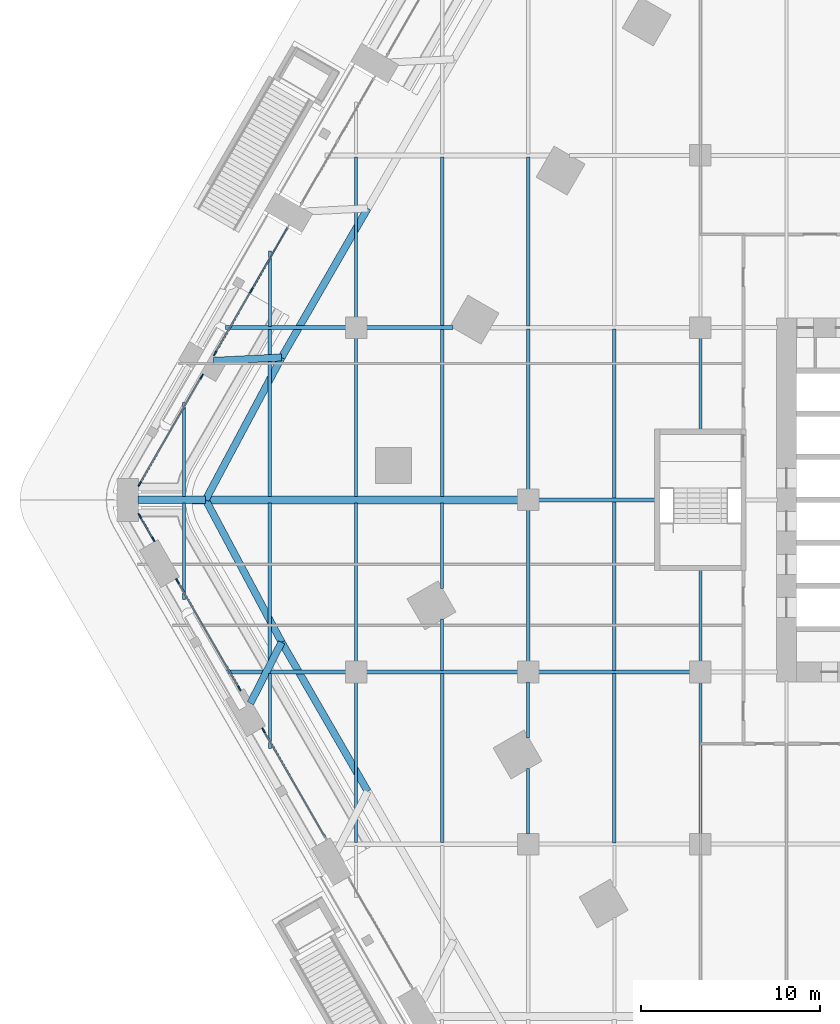
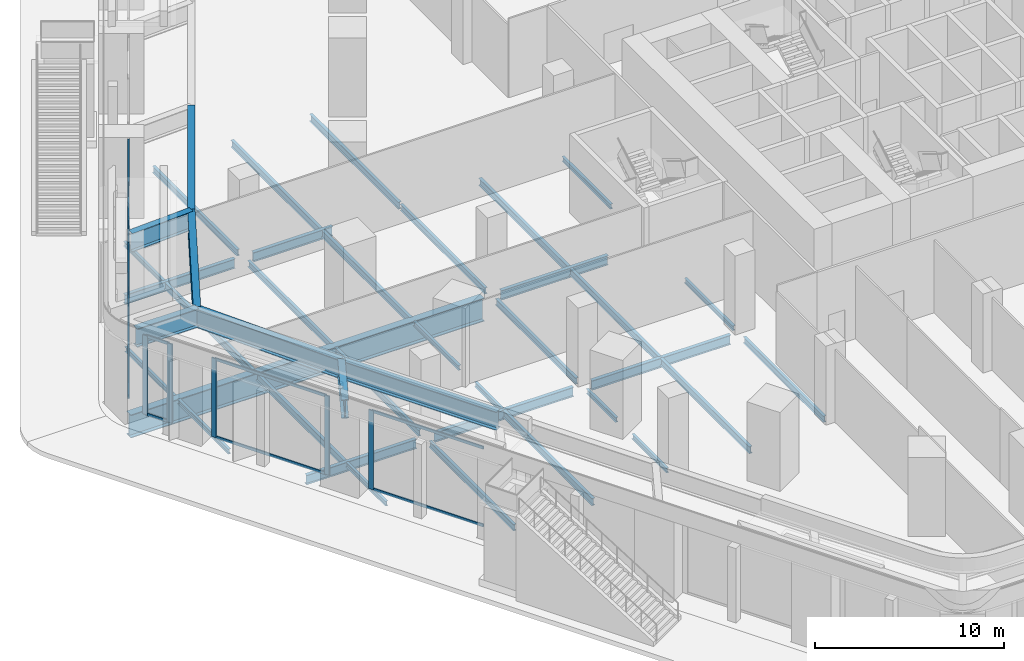
# One storey, part 4 of 34: 40 beams, 21 members, 5 elements without a shape of their own.
"""IFC4 building model written with IfcOpenShell, lengths in metres."""

from ifc_helpers import new_model, si_unit, direction, frame, origin, origin_2d, place, context, subcontext, project, spatial, rectangle, i_section, extrude, material, material_profile, profile_set, type_object, element, aggregate, save


model = new_model("IFC4")

# Units and contexts
model_context = context("Model", 3, precision=1e-05, world=origin(), true_north=direction((0.0, 1.0)))
body_context = subcontext(model_context, "Body", "Model", "MODEL_VIEW")
ifc_project = project(units=[si_unit("LENGTHUNIT", "METRE"), si_unit("AREAUNIT", "SQUARE_METRE"), si_unit("VOLUMEUNIT", "CUBIC_METRE"), si_unit("PLANEANGLEUNIT", "RADIAN"), si_unit("MASSUNIT", "GRAM", prefix="KILO")], contexts=[model_context])

# Site, building, storey
site_placement = place(None, origin())
site = spatial("IfcSite", under=ifc_project, at=site_placement, CompositionType="ELEMENT")
building_placement = place(site_placement, origin())
building = spatial("IfcBuilding", under=site, at=building_placement, Name="Kolab Exchange Tower", CompositionType="ELEMENT")
storey_placement = place(building_placement, frame((0.0, 0.0, 7.0)))
storey = spatial("IfcBuildingStorey", under=building, at=storey_placement, Name="L01", CompositionType="ELEMENT", Elevation=7.0)

# Beams
ifc_material_1 = material(Name="Steel S355", Category="steel")
ifc_material_profile_1 = material_profile(ifc_material_1, i_section(OverallWidth=0.1650390625, OverallDepth=0.31005859375, WebThickness=0.005859375, FlangeThickness=0.009765625, at=origin_2d()), Name="W310X39")
ifc_profile_set_1 = profile_set([ifc_material_profile_1], Name="Steel S355")
beam_type_1 = type_object("IfcBeamType", Name="FLOOR BEAM W310X39", PredefinedType="BEAM", material=ifc_profile_set_1)
beam_1_placement = place(storey_placement, frame((-48.0, -5.5537109375, -0.455078125), z_axis=(0.0, 1.0, 0.0), x_axis=(-1.0, 0.0, 0.0)))
element("IfcBeam", 1, at=beam_1_placement, inside=storey, type_object=beam_type_1, Name="beam/L01/fr/000", PredefinedType="BEAM", context=body_context, shape_type="SweptSolid", body=[
    extrude(i_section(OverallWidth=0.1650390625, OverallDepth=0.31005859375, WebThickness=0.005859375, FlangeThickness=0.009765625, at=origin_2d()), origin(), (0.0, 0.0, 1.0), 5.36865234375),
])
beam_2_placement = place(storey_placement, frame((-48.0, 0.18505859375, -0.455078125), z_axis=(0.0, 1.0, 0.0), x_axis=(-1.0, 0.0, 0.0)))
element("IfcBeam", 2, at=beam_2_placement, inside=storey, type_object=beam_type_1, Name="beam/L01/fr/001", PredefinedType="BEAM", context=body_context, shape_type="SweptSolid", body=[
    extrude(i_section(OverallWidth=0.1650390625, OverallDepth=0.31005859375, WebThickness=0.005859375, FlangeThickness=0.009765625, at=origin_2d()), origin(), (0.0, 0.0, 1.0), 5.228515625),
])
for number, where, z_axis, x_axis, name in (
    (3, (-43.199951171875, -13.86767578125, -0.455078125), (0.0, 1.0, 0.0), (-1.0, 0.0, 0.0), "beam/L01/fr/002"),
    (4, (-43.199951171875, 9.674072265625, -0.455078125), (0.0, 1.0, 0.0), (-1.0, 0.0, 0.0), "beam/L01/fr/005"),
):
    element("IfcBeam", number, at=place(storey_placement, frame(where, z_axis=z_axis, x_axis=x_axis)), inside=storey, type_object=beam_type_1, Name=name, PredefinedType="BEAM", context=body_context, shape_type="SweptSolid", body=[
        extrude(i_section(OverallWidth=0.1650390625, OverallDepth=0.31005859375, WebThickness=0.005859375, FlangeThickness=0.009765625, at=origin_2d()), origin(), (0.0, 0.0, 1.0), 4.193603515625),
    ])
beam_3_placement = place(storey_placement, frame((-33.60009765625, -9.52587890625, -0.455078125), z_axis=(0.0, 1.0, 0.0), x_axis=(-1.0, 0.0, 0.0)))
element("IfcBeam", 5, at=beam_3_placement, inside=storey, type_object=beam_type_1, Name="beam/L01/fr/015", PredefinedType="BEAM", context=body_context, shape_type="SweptSolid", body=[
    extrude(i_section(OverallWidth=0.1650390625, OverallDepth=0.31005859375, WebThickness=0.005859375, FlangeThickness=0.009765625, at=origin_2d()), origin(), (0.0, 0.0, 1.0), 2.86865234375),
])
beam_4_placement = place(storey_placement, frame((-33.60009765625, -4.953857421875, -0.455078125), z_axis=(0.0, 1.0, 0.0), x_axis=(-1.0, 0.0, 0.0)))
element("IfcBeam", 6, at=beam_4_placement, inside=storey, type_object=beam_type_1, Name="beam/L01/fr/016", PredefinedType="BEAM", context=body_context, shape_type="SweptSolid", body=[
    extrude(i_section(OverallWidth=0.1650390625, OverallDepth=0.31005859375, WebThickness=0.005859375, FlangeThickness=0.009765625, at=origin_2d()), origin(), (0.0, 0.0, 1.0), 4.768798828125),
])
beam_5_placement = place(storey_placement, frame((-28.800048828125, -18.639892578125, -0.455078125), z_axis=(0.0, 1.0, 0.0), x_axis=(-1.0, 0.0, 0.0)))
element("IfcBeam", 7, at=beam_5_placement, inside=storey, type_object=beam_type_1, Name="beam/L01/fr/023", PredefinedType="BEAM", context=body_context, shape_type="SweptSolid", body=[
    extrude(i_section(OverallWidth=0.1650390625, OverallDepth=0.31005859375, WebThickness=0.005859375, FlangeThickness=0.009765625, at=origin_2d()), origin(), (0.0, 0.0, 1.0), 3.668701171875),
])
beam_6_placement = place(storey_placement, frame((-28.800048828125, -13.267578125, -0.455078125), z_axis=(0.0, 1.0, 0.0), x_axis=(-1.0, 0.0, 0.0)))
element("IfcBeam", 8, at=beam_6_placement, inside=storey, type_object=beam_type_1, Name="beam/L01/fr/024", PredefinedType="BEAM", context=body_context, shape_type="SweptSolid", body=[
    extrude(i_section(OverallWidth=0.1650390625, OverallDepth=0.31005859375, WebThickness=0.005859375, FlangeThickness=0.009765625, at=origin_2d()), origin(), (0.0, 0.0, 1.0), 3.107666015625),
])
for number, where, z_axis, x_axis, name in (
    (9, (-19.199951171875, -9.0400390625, -0.455078125), (0.0, 1.0, 0.0), (-1.0, 0.0, 0.0), "beam/L01/fr/042"),
    (10, (-19.199951171875, 3.909912109375, -0.455078125), (0.0, 1.0, 0.0), (-1.0, 0.0, 0.0), "beam/L01/fr/043"),
):
    element("IfcBeam", number, at=place(storey_placement, frame(where, z_axis=z_axis, x_axis=x_axis)), inside=storey, type_object=beam_type_1, Name=name, PredefinedType="BEAM", context=body_context, shape_type="SweptSolid", body=[
        extrude(i_section(OverallWidth=0.1650390625, OverallDepth=0.31005859375, WebThickness=0.005859375, FlangeThickness=0.009765625, at=origin_2d()), origin(), (0.0, 0.0, 1.0), 5.130126953125),
    ])
ifc_material_profile_2 = material_profile(ifc_material_1, i_section(OverallWidth=0.177978515625, OverallDepth=0.406982421875, WebThickness=0.0078125, FlangeThickness=0.0126953125, at=origin_2d()), Name="W410X60")
ifc_profile_set_2 = profile_set([ifc_material_profile_2], Name="Steel S355")
beam_type_2 = type_object("IfcBeamType", Name="FLOOR BEAM W410X60", PredefinedType="BEAM", material=ifc_profile_set_2)
beam_7_placement = place(storey_placement, frame((-38.39990234375, -19.113037109375, -0.50341796875), z_axis=(0.0, 1.0, 0.0), x_axis=(-1.0, 0.0, 0.0)))
element("IfcBeam", 11, at=beam_7_placement, inside=storey, type_object=beam_type_2, Name="beam/L01/fr/007", PredefinedType="BEAM", context=body_context, shape_type="SweptSolid", body=[
    extrude(i_section(OverallWidth=0.177978515625, OverallDepth=0.406982421875, WebThickness=0.0078125, FlangeThickness=0.0126953125, at=origin_2d()), origin(), (0.0, 0.0, 1.0), 8.953125),
])
for number, where, z_axis, x_axis, name in (
    (12, (-38.39990234375, -9.0400390625, -0.50341796875), (0.0, 1.0, 0.0), (-1.0, 0.0, 0.0), "beam/L01/fr/008"),
    (13, (-38.39990234375, 0.18505859375, -0.50341796875), (0.0, 1.0, 0.0), (-1.0, 0.0, 0.0), "beam/L01/fr/009"),
):
    element("IfcBeam", number, at=place(storey_placement, frame(where, z_axis=z_axis, x_axis=x_axis)), inside=storey, type_object=beam_type_2, Name=name, PredefinedType="BEAM", context=body_context, shape_type="SweptSolid", body=[
        extrude(i_section(OverallWidth=0.177978515625, OverallDepth=0.406982421875, WebThickness=0.0078125, FlangeThickness=0.0126953125, at=origin_2d()), origin(), (0.0, 0.0, 1.0), 8.85498046875),
    ])
beam_8_placement = place(storey_placement, frame((-38.39990234375, 10.159912109375, -0.50341796875), z_axis=(0.0, 1.0, 0.0), x_axis=(-1.0, 0.0, 0.0)))
element("IfcBeam", 14, at=beam_8_placement, inside=storey, type_object=beam_type_2, Name="beam/L01/fr/010", PredefinedType="BEAM", context=body_context, shape_type="SweptSolid", body=[
    extrude(i_section(OverallWidth=0.177978515625, OverallDepth=0.406982421875, WebThickness=0.0078125, FlangeThickness=0.0126953125, at=origin_2d()), origin(), (0.0, 0.0, 1.0), 8.946533203125),
])
beam_9_placement = place(storey_placement, frame((-28.800048828125, -9.0400390625, -0.50341796875), z_axis=(0.0, 1.0, 0.0), x_axis=(-1.0, 0.0, 0.0)))
element("IfcBeam", 15, at=beam_9_placement, inside=storey, type_object=beam_type_2, Name="beam/L01/fr/025", PredefinedType="BEAM", context=body_context, shape_type="SweptSolid", body=[
    extrude(i_section(OverallWidth=0.177978515625, OverallDepth=0.406982421875, WebThickness=0.0078125, FlangeThickness=0.0126953125, at=origin_2d()), origin(), (0.0, 0.0, 1.0), 8.47998046875),
])
beam_10_placement = place(storey_placement, frame((-28.800048828125, 0.56005859375, -0.50341796875), z_axis=(0.0, 1.0, 0.0), x_axis=(-1.0, 0.0, 0.0)))
element("IfcBeam", 16, at=beam_10_placement, inside=storey, type_object=beam_type_2, Name="beam/L01/fr/026", PredefinedType="BEAM", context=body_context, shape_type="SweptSolid", body=[
    extrude(i_section(OverallWidth=0.177978515625, OverallDepth=0.406982421875, WebThickness=0.0078125, FlangeThickness=0.0126953125, at=origin_2d()), origin(), (0.0, 0.0, 1.0), 8.952880859375),
])
beam_11_placement = place(storey_placement, frame((-19.199951171875, -18.639892578125, -0.50341796875), z_axis=(0.0, 1.0, 0.0), x_axis=(-1.0, 0.0, 0.0)))
element("IfcBeam", 17, at=beam_11_placement, inside=storey, type_object=beam_type_2, Name="beam/L01/fr/041", PredefinedType="BEAM", context=body_context, shape_type="SweptSolid", body=[
    extrude(i_section(OverallWidth=0.177978515625, OverallDepth=0.406982421875, WebThickness=0.0078125, FlangeThickness=0.0126953125, at=origin_2d()), origin(), (0.0, 0.0, 1.0), 8.47998046875),
])
ifc_material_profile_3 = material_profile(ifc_material_1, i_section(OverallWidth=0.18994140625, OverallDepth=0.45703125, WebThickness=0.009033203125, FlangeThickness=0.014404296875, at=origin_2d()), Name="W460X74")
ifc_profile_set_3 = profile_set([ifc_material_profile_3], Name="Steel S355")
beam_type_3 = type_object("IfcBeamType", Name="FLOOR BEAM W460X74", PredefinedType="BEAM", material=ifc_profile_set_3)
for number, where, z_axis, x_axis, name in (
    (18, (-43.199951171875, -9.52587890625, -0.528564453125), (0.0, 1.0, 0.0), (-1.0, 0.0, 0.0), "beam/L01/fr/003"),
    (19, (-43.199951171875, 0.18505859375, -0.528564453125), (0.0, 1.0, 0.0), (-1.0, 0.0, 0.0), "beam/L01/fr/004"),
):
    element("IfcBeam", number, at=place(storey_placement, frame(where, z_axis=z_axis, x_axis=x_axis)), inside=storey, type_object=beam_type_3, Name=name, PredefinedType="BEAM", context=body_context, shape_type="SweptSolid", body=[
        extrude(i_section(OverallWidth=0.18994140625, OverallDepth=0.45703125, WebThickness=0.009033203125, FlangeThickness=0.014404296875, at=origin_2d()), origin(), (0.0, 0.0, 1.0), 9.3408203125),
    ])
beam_12_placement = place(storey_placement, frame((-33.60009765625, -19.113037109375, -0.528564453125), z_axis=(0.0, 1.0, 0.0), x_axis=(-1.0, 0.0, 0.0)))
element("IfcBeam", 20, at=beam_12_placement, inside=storey, type_object=beam_type_3, Name="beam/L01/fr/014", PredefinedType="BEAM", context=body_context, shape_type="SweptSolid", body=[
    extrude(i_section(OverallWidth=0.18994140625, OverallDepth=0.45703125, WebThickness=0.009033203125, FlangeThickness=0.014404296875, at=origin_2d()), origin(), (0.0, 0.0, 1.0), 9.43896484375),
])
beam_13_placement = place(storey_placement, frame((-33.60009765625, 0.18505859375, -0.528564453125), z_axis=(0.0, 1.0, 0.0), x_axis=(-1.0, 0.0, 0.0)))
element("IfcBeam", 21, at=beam_13_placement, inside=storey, type_object=beam_type_3, Name="beam/L01/fr/017", PredefinedType="BEAM", context=body_context, shape_type="SweptSolid", body=[
    extrude(i_section(OverallWidth=0.18994140625, OverallDepth=0.45703125, WebThickness=0.009033203125, FlangeThickness=0.014404296875, at=origin_2d()), origin(), (0.0, 0.0, 1.0), 9.3408203125),
])
beam_14_placement = place(storey_placement, frame((-33.60009765625, 9.674072265625, -0.528564453125), z_axis=(0.0, 1.0, 0.0), x_axis=(-1.0, 0.0, 0.0)))
element("IfcBeam", 22, at=beam_14_placement, inside=storey, type_object=beam_type_3, Name="beam/L01/fr/018", PredefinedType="BEAM", context=body_context, shape_type="SweptSolid", body=[
    extrude(i_section(OverallWidth=0.18994140625, OverallDepth=0.45703125, WebThickness=0.009033203125, FlangeThickness=0.014404296875, at=origin_2d()), origin(), (0.0, 0.0, 1.0), 9.432373046875),
])
beam_15_placement = place(storey_placement, frame((-28.800048828125, 9.68701171875, -0.528564453125), z_axis=(0.0, 1.0, 0.0), x_axis=(-1.0, 0.0, 0.0)))
element("IfcBeam", 23, at=beam_15_placement, inside=storey, type_object=beam_type_3, Name="beam/L01/fr/027", PredefinedType="BEAM", context=body_context, shape_type="SweptSolid", body=[
    extrude(i_section(OverallWidth=0.18994140625, OverallDepth=0.45703125, WebThickness=0.009033203125, FlangeThickness=0.014404296875, at=origin_2d()), origin(), (0.0, 0.0, 1.0), 9.41943359375),
])
for number, where, z_axis, x_axis, name in (
    (24, (-24.0, -19.1259765625, -0.528564453125), (0.0, 1.0, 0.0), (-1.0, 0.0, 0.0), "beam/L01/fr/033"),
    (25, (-24.0, -9.52587890625, -0.528564453125), (0.0, 1.0, 0.0), (-1.0, 0.0, 0.0), "beam/L01/fr/034"),
):
    element("IfcBeam", number, at=place(storey_placement, frame(where, z_axis=z_axis, x_axis=x_axis)), inside=storey, type_object=beam_type_3, Name=name, PredefinedType="BEAM", context=body_context, shape_type="SweptSolid", body=[
        extrude(i_section(OverallWidth=0.18994140625, OverallDepth=0.45703125, WebThickness=0.009033203125, FlangeThickness=0.014404296875, at=origin_2d()), origin(), (0.0, 0.0, 1.0), 9.451904296875),
    ])
beam_16_placement = place(storey_placement, frame((-24.0, 0.073974609375, -0.528564453125), z_axis=(0.0, 1.0, 0.0), x_axis=(-1.0, 0.0, 0.0)))
element("IfcBeam", 26, at=beam_16_placement, inside=storey, type_object=beam_type_3, Name="beam/L01/fr/035", PredefinedType="BEAM", context=body_context, shape_type="SweptSolid", body=[
    extrude(i_section(OverallWidth=0.18994140625, OverallDepth=0.45703125, WebThickness=0.009033203125, FlangeThickness=0.014404296875, at=origin_2d()), origin(), (0.0, 0.0, 1.0), 9.43896484375),
])
ifc_material_profile_4 = material_profile(ifc_material_1, i_section(OverallWidth=0.449951171875, OverallDepth=1.5, WebThickness=0.028076171875, FlangeThickness=0.044921875, at=origin_2d()), Name="PG1500X450")
ifc_profile_set_4 = profile_set([ifc_material_profile_4], Name="Steel S355")
beam_type_4 = type_object("IfcBeamType", Name="FLOOR GIRDER PG1500X450", PredefinedType="BEAM", material=ifc_profile_set_4)
beam_17_placement = place(storey_placement, frame((-50.948486328125, 0.0, -1.050048828125), z_axis=(1.0, 0.0, 0.0), x_axis=(0.0, 1.0, 0.0)))
element("IfcBeam", 27, at=beam_17_placement, inside=storey, type_object=beam_type_4, Name="beam/L01/gd/000", PredefinedType="BEAM", context=body_context, shape_type="SweptSolid", body=[
    extrude(i_section(OverallWidth=0.449951171875, OverallDepth=1.5, WebThickness=0.028076171875, FlangeThickness=0.044921875, at=origin_2d()), origin(), (0.0, 0.0, 1.0), 21.58837890625),
])
ifc_material_profile_5 = material_profile(ifc_material_1, i_section(OverallWidth=0.22802734375, OverallDepth=0.60791015625, WebThickness=0.01123046875, FlangeThickness=0.017333984375, at=origin_2d()), Name="W610X113")
ifc_profile_set_5 = profile_set([ifc_material_profile_5], Name="Steel S355")
beam_type_5 = type_object("IfcBeamType", Name="FLOOR GIRDER W610X113", PredefinedType="BEAM", material=ifc_profile_set_5)
for number, where, z_axis, x_axis, name in (
    (28, (-45.680908203125, -9.60009765625, -0.60400390625), (1.0, 0.0, 0.0), (0.0, 1.0, 0.0), "beam/L01/gd/001"),
    (29, (-45.680908203125, 9.60009765625, -0.60400390625), (1.0, 0.0, 0.0), (0.0, 1.0, 0.0), "beam/L01/gd/002"),
):
    element("IfcBeam", number, at=place(storey_placement, frame(where, z_axis=z_axis, x_axis=x_axis)), inside=storey, type_object=beam_type_5, Name=name, PredefinedType="BEAM", context=body_context, shape_type="SweptSolid", body=[
        extrude(i_section(OverallWidth=0.22802734375, OverallDepth=0.60791015625, WebThickness=0.01123046875, FlangeThickness=0.017333984375, at=origin_2d()), origin(), (0.0, 0.0, 1.0), 6.720947265625),
    ])
beam_18_placement = place(storey_placement, frame((-37.840087890625, -9.60009765625, -0.60400390625), z_axis=(1.0, 0.0, 0.0), x_axis=(0.0, 1.0, 0.0)))
element("IfcBeam", 30, at=beam_18_placement, inside=storey, type_object=beam_type_5, Name="beam/L01/gd/005", PredefinedType="BEAM", context=body_context, shape_type="SweptSolid", body=[
    extrude(i_section(OverallWidth=0.22802734375, OverallDepth=0.60791015625, WebThickness=0.01123046875, FlangeThickness=0.017333984375, at=origin_2d()), origin(), (0.0, 0.0, 1.0), 8.47998046875),
])
beam_19_placement = place(storey_placement, frame((-37.840087890625, 9.60009765625, -0.60400390625), z_axis=(1.0, 0.0, 0.0), x_axis=(0.0, 1.0, 0.0)))
element("IfcBeam", 31, at=beam_19_placement, inside=storey, type_object=beam_type_5, Name="beam/L01/gd/006", PredefinedType="BEAM", context=body_context, shape_type="SweptSolid", body=[
    extrude(i_section(OverallWidth=0.22802734375, OverallDepth=0.60791015625, WebThickness=0.01123046875, FlangeThickness=0.017333984375, at=origin_2d()), origin(), (0.0, 0.0, 1.0), 4.852294921875),
])
beam_20_placement = place(storey_placement, frame((-28.239990234375, -9.60009765625, -0.60400390625), z_axis=(1.0, 0.0, 0.0), x_axis=(0.0, 1.0, 0.0)))
element("IfcBeam", 32, at=beam_20_placement, inside=storey, type_object=beam_type_5, Name="beam/L01/gd/011", PredefinedType="BEAM", context=body_context, shape_type="SweptSolid", body=[
    extrude(i_section(OverallWidth=0.22802734375, OverallDepth=0.60791015625, WebThickness=0.01123046875, FlangeThickness=0.017333984375, at=origin_2d()), origin(), (0.0, 0.0, 1.0), 8.47998046875),
])
beam_21_placement = place(storey_placement, frame((-28.239990234375, 0.0, -0.60400390625), z_axis=(1.0, 0.0, 0.0), x_axis=(0.0, 1.0, 0.0)))
element("IfcBeam", 33, at=beam_21_placement, inside=storey, type_object=beam_type_5, Name="beam/L01/gd/012", PredefinedType="BEAM", context=body_context, shape_type="SweptSolid", body=[
    extrude(i_section(OverallWidth=0.22802734375, OverallDepth=0.60791015625, WebThickness=0.01123046875, FlangeThickness=0.017333984375, at=origin_2d()), origin(), (0.0, 0.0, 1.0), 6.530029296875),
])

# Curtain wall, member
ifc_material_2 = material(Name="Aluminium EN AW-6063 T6", Category="aluminium")
curtain_wall_type = type_object("IfcCurtainWallType", Name="PODIUM STRUCTURAL GLAZING CURTAIN WALL", PredefinedType="NOTDEFINED", material=ifc_material_2)
curtain_wall_1_placement = place(storey_placement, origin())
curtain_wall_1 = element("IfcCurtainWall", 34, at=curtain_wall_1_placement, inside=storey, type_object=curtain_wall_type, Name="cw/L01/F5-4", PredefinedType="NOTDEFINED")
ifc_material_profile_6 = material_profile(ifc_material_2, rectangle(XDim=0.080078125, YDim=0.300048828125, at=origin_2d()), Name="RECT 80X300")
ifc_profile_set_6 = profile_set([ifc_material_profile_6], Name="Aluminium EN AW-6063 T6")
member_type_1 = type_object("IfcMemberType", Name="PODIUM STRUCTURAL GLAZING MULLION 80 X 300", PredefinedType="MULLION", material=ifc_profile_set_6)
member_1_placement = place(storey_placement, frame((-43.556640625, -12.849853515625, 0.0), z_axis=(0.0, 0.0, 1.0), x_axis=(-0.866025392379, -0.500000019755, 0.0)))
member_1 = element("IfcMember", 35, at=member_1_placement, type_object=member_type_1, Name="CW5 mullion 2", PredefinedType="MULLION", context=body_context, shape_type="SweptSolid", body=[
    extrude(rectangle(XDim=0.080078125, YDim=0.300048828125, at=origin_2d()), origin(), (0.0, 0.0, 1.0), 5.10009765625),
])

# Curtain wall, members
curtain_wall_2_placement = place(storey_placement, origin())
curtain_wall_2 = element("IfcCurtainWall", 36, at=curtain_wall_2_placement, inside=storey, type_object=curtain_wall_type, Name="cw/L01/F5-5", PredefinedType="NOTDEFINED")
member_2_placement = place(storey_placement, frame((-44.90673828125, -10.51171875, 0.0), z_axis=(0.0, 0.0, 1.0), x_axis=(-0.866025392379, -0.500000019755, 0.0)))
member_2 = element("IfcMember", 37, at=member_2_placement, type_object=member_type_1, Name="CW5 mullion 1", PredefinedType="MULLION", context=body_context, shape_type="SweptSolid", body=[
    extrude(rectangle(XDim=0.080078125, YDim=0.300048828125, at=origin_2d()), origin(), (0.0, 0.0, 1.0), 5.10009765625),
])
member_3_placement = place(storey_placement, frame((-48.356689453125, -4.5361328125, 0.0), z_axis=(0.0, 0.0, 1.0), x_axis=(-0.866025392379, -0.500000019755, 0.0)))
member_3 = element("IfcMember", 38, at=member_3_placement, type_object=member_type_1, Name="CW5 mullion 2", PredefinedType="MULLION", context=body_context, shape_type="SweptSolid", body=[
    extrude(rectangle(XDim=0.080078125, YDim=0.300048828125, at=origin_2d()), origin(), (0.0, 0.0, 1.0), 5.10009765625),
])

curtain_wall_3_placement = place(storey_placement, origin())
curtain_wall_3 = element("IfcCurtainWall", 39, at=curtain_wall_3_placement, inside=storey, type_object=curtain_wall_type, Name="cw/L01/F5-6", PredefinedType="NOTDEFINED")
member_4_placement = place(storey_placement, frame((-49.706787109375, -2.19775390625, 0.0), z_axis=(0.0, 0.0, 1.0), x_axis=(-0.866025415068, -0.499999980456, 0.0)))
member_4 = element("IfcMember", 40, at=member_4_placement, type_object=member_type_1, Name="CW5 mullion 1", PredefinedType="MULLION", context=body_context, shape_type="SweptSolid", body=[
    extrude(rectangle(XDim=0.080078125, YDim=0.300048828125, at=origin_2d()), origin(), (0.0, 0.0, 1.0), 5.10009765625),
])
member_5_placement = place(storey_placement, frame((-50.4609375, -0.891357421875, 0.0), z_axis=(0.0, 0.0, 1.0), x_axis=(-0.866025415068, -0.499999980456, 0.0)))
member_5 = element("IfcMember", 41, at=member_5_placement, type_object=member_type_1, Name="CW5 mullion 2", PredefinedType="MULLION", context=body_context, shape_type="SweptSolid", body=[
    extrude(rectangle(XDim=0.080078125, YDim=0.300048828125, at=origin_2d()), origin(), (0.0, 0.0, 1.0), 5.10009765625),
])

curtain_wall_4_placement = place(storey_placement, origin())
curtain_wall_4 = element("IfcCurtainWall", 42, at=curtain_wall_4_placement, inside=storey, type_object=curtain_wall_type, Name="cw/L01/F6-1", PredefinedType="NOTDEFINED")
member_6_placement = place(storey_placement, frame((-50.4609375, 0.891357421875, 0.0), z_axis=(0.0, 0.0, 1.0), x_axis=(-0.866025435672, 0.49999994477, 0.0)))
member_6 = element("IfcMember", 43, at=member_6_placement, type_object=member_type_1, Name="CW5 mullion 1", PredefinedType="MULLION", context=body_context, shape_type="SweptSolid", body=[
    extrude(rectangle(XDim=0.080078125, YDim=0.300048828125, at=origin_2d()), origin(), (0.0, 0.0, 1.0), 5.10009765625),
])
member_7_placement = place(storey_placement, frame((-47.006591796875, 6.874267578125, 0.0), z_axis=(0.0, 0.0, 1.0), x_axis=(-0.866025435672, 0.49999994477, 0.0)))
member_7 = element("IfcMember", 44, at=member_7_placement, type_object=member_type_1, Name="CW5 mullion 2", PredefinedType="MULLION", context=body_context, shape_type="SweptSolid", body=[
    extrude(rectangle(XDim=0.080078125, YDim=0.300048828125, at=origin_2d()), origin(), (0.0, 0.0, 1.0), 5.10009765625),
])

curtain_wall_5_placement = place(storey_placement, origin())
curtain_wall_5 = element("IfcCurtainWall", 45, at=curtain_wall_5_placement, inside=storey, type_object=curtain_wall_type, Name="cw/L01/F6-2", PredefinedType="NOTDEFINED")
member_8_placement = place(storey_placement, frame((-46.256591796875, 8.17333984375, 0.0), z_axis=(0.0, 0.0, 1.0), x_axis=(-0.866025409806, 0.499999989571, 0.0)))
member_8 = element("IfcMember", 46, at=member_8_placement, type_object=member_type_1, Name="CW5 mullion 1", PredefinedType="MULLION", context=body_context, shape_type="SweptSolid", body=[
    extrude(rectangle(XDim=0.080078125, YDim=0.300048828125, at=origin_2d()), origin(), (0.0, 0.0, 1.0), 5.10009765625),
])
member_9_placement = place(storey_placement, frame((-44.231689453125, 11.6806640625, 0.0), z_axis=(0.0, 0.0, 1.0), x_axis=(-0.866025409806, 0.499999989571, 0.0)))
member_9 = element("IfcMember", 47, at=member_9_placement, type_object=member_type_1, Name="CW5 mullion 2", PredefinedType="MULLION", context=body_context, shape_type="SweptSolid", body=[
    extrude(rectangle(XDim=0.080078125, YDim=0.300048828125, at=origin_2d()), origin(), (0.0, 0.0, 1.0), 5.10009765625),
])

# Member
ifc_material_profile_7 = material_profile(ifc_material_2, rectangle(XDim=0.080078125, YDim=0.179931640625, at=origin_2d()), Name="RECT 80X180")
ifc_profile_set_7 = profile_set([ifc_material_profile_7], Name="Aluminium EN AW-6063 T6")
member_type_2 = type_object("IfcMemberType", Name="PODIUM STRUCTURAL GLAZING TRANSOM 80 X 180", PredefinedType="USERDEFINED", material=ifc_profile_set_7)
member_10_placement = place(storey_placement, frame((-40.126708984375, -18.790771484375, 0.0400390625), z_axis=(-0.499993080764, 0.866029398571, 0.0), x_axis=(-0.866029398571, -0.499993080764, 0.0)))
member_10 = element("IfcMember", 48, at=member_10_placement, type_object=member_type_2, Name="CW5 transom 1.1", ObjectType="TRANSOM", PredefinedType="USERDEFINED", context=body_context, shape_type="SweptSolid", body=[
    extrude(rectangle(XDim=0.080078125, YDim=0.179931640625, at=origin_2d()), origin(), (0.0, 0.0, 1.0), 6.81982421875),
])

member_11_placement = place(storey_placement, frame((-40.126708984375, -18.790771484375, 5.06005859375), z_axis=(-0.499993080764, 0.866029398571, 0.0), x_axis=(-0.866029398571, -0.499993080764, 0.0)))
member_11 = element("IfcMember", 49, at=member_11_placement, type_object=member_type_2, Name="CW5 transom 1.2", ObjectType="TRANSOM", PredefinedType="USERDEFINED", context=body_context, shape_type="SweptSolid", body=[
    extrude(rectangle(XDim=0.080078125, YDim=0.179931640625, at=origin_2d()), origin(), (0.0, 0.0, 1.0), 6.81982421875),
])

aggregate(curtain_wall_1, [member_1, member_10, member_11])

member_12_placement = place(storey_placement, frame((-44.9267578125, -10.47705078125, 0.0400390625), z_axis=(-0.499993080764, 0.866029398571, 0.0), x_axis=(-0.866029398571, -0.499993080764, 0.0)))
member_12 = element("IfcMember", 50, at=member_12_placement, type_object=member_type_2, Name="CW5 transom 1.1", ObjectType="TRANSOM", PredefinedType="USERDEFINED", context=body_context, shape_type="SweptSolid", body=[
    extrude(rectangle(XDim=0.080078125, YDim=0.179931640625, at=origin_2d()), origin(), (0.0, 0.0, 1.0), 6.81982421875),
])

member_13_placement = place(storey_placement, frame((-44.9267578125, -10.47705078125, 5.06005859375), z_axis=(-0.499993080764, 0.866029398571, 0.0), x_axis=(-0.866029398571, -0.499993080764, 0.0)))
member_13 = element("IfcMember", 51, at=member_13_placement, type_object=member_type_2, Name="CW5 transom 1.2", ObjectType="TRANSOM", PredefinedType="USERDEFINED", context=body_context, shape_type="SweptSolid", body=[
    extrude(rectangle(XDim=0.080078125, YDim=0.179931640625, at=origin_2d()), origin(), (0.0, 0.0, 1.0), 6.81982421875),
])

aggregate(curtain_wall_2, [member_2, member_3, member_12, member_13])

member_14_placement = place(storey_placement, frame((-49.7265625, -2.1630859375, 0.0400390625), z_axis=(-0.500072571919, 0.865983500313, 0.0), x_axis=(-0.865983500313, -0.500072571919, 0.0)))
member_14 = element("IfcMember", 52, at=member_14_placement, type_object=member_type_2, Name="CW5 transom 1.1", ObjectType="TRANSOM", PredefinedType="USERDEFINED", context=body_context, shape_type="SweptSolid", body=[
    extrude(rectangle(XDim=0.080078125, YDim=0.179931640625, at=origin_2d()), origin(), (0.0, 0.0, 1.0), 1.428466796875),
])

member_15_placement = place(storey_placement, frame((-49.7265625, -2.1630859375, 5.06005859375), z_axis=(-0.500072571919, 0.865983500313, 0.0), x_axis=(-0.865983500313, -0.500072571919, 0.0)))
member_15 = element("IfcMember", 53, at=member_15_placement, type_object=member_type_2, Name="CW5 transom 1.2", ObjectType="TRANSOM", PredefinedType="USERDEFINED", context=body_context, shape_type="SweptSolid", body=[
    extrude(rectangle(XDim=0.080078125, YDim=0.179931640625, at=origin_2d()), origin(), (0.0, 0.0, 1.0), 1.428466796875),
])

aggregate(curtain_wall_3, [member_4, member_5, member_14, member_15])

member_16_placement = place(storey_placement, frame((-50.44091796875, 0.926025390625, 0.0400390625), z_axis=(0.500011310001, 0.866018873854, 0.0), x_axis=(-0.866018873854, 0.500011310001, 0.0)))
member_16 = element("IfcMember", 54, at=member_16_placement, type_object=member_type_2, Name="CW5 transom 1.1", ObjectType="TRANSOM", PredefinedType="USERDEFINED", context=body_context, shape_type="SweptSolid", body=[
    extrude(rectangle(XDim=0.080078125, YDim=0.179931640625, at=origin_2d()), origin(), (0.0, 0.0, 1.0), 6.828369140625),
])

member_17_placement = place(storey_placement, frame((-50.44091796875, 0.926025390625, 5.06005859375), z_axis=(0.500011310001, 0.866018873854, 0.0), x_axis=(-0.866018873854, 0.500011310001, 0.0)))
member_17 = element("IfcMember", 55, at=member_17_placement, type_object=member_type_2, Name="CW5 transom 1.2", ObjectType="TRANSOM", PredefinedType="USERDEFINED", context=body_context, shape_type="SweptSolid", body=[
    extrude(rectangle(XDim=0.080078125, YDim=0.179931640625, at=origin_2d()), origin(), (0.0, 0.0, 1.0), 6.828369140625),
])

aggregate(curtain_wall_4, [member_6, member_7, member_16, member_17])

member_18_placement = place(storey_placement, frame((-46.236572265625, 8.2080078125, 0.0400390625), z_axis=(0.499962002361, 0.86604734062, 0.0), x_axis=(-0.86604734062, 0.499962002361, 0.0)))
member_18 = element("IfcMember", 56, at=member_18_placement, type_object=member_type_2, Name="CW5 transom 1.1", ObjectType="TRANSOM", PredefinedType="USERDEFINED", context=body_context, shape_type="SweptSolid", body=[
    extrude(rectangle(XDim=0.080078125, YDim=0.179931640625, at=origin_2d()), origin(), (0.0, 0.0, 1.0), 3.969970703125),
])

member_19_placement = place(storey_placement, frame((-46.236572265625, 8.2080078125, 5.06005859375), z_axis=(0.499962002361, 0.86604734062, 0.0), x_axis=(-0.86604734062, 0.499962002361, 0.0)))
member_19 = element("IfcMember", 57, at=member_19_placement, type_object=member_type_2, Name="CW5 transom 1.2", ObjectType="TRANSOM", PredefinedType="USERDEFINED", context=body_context, shape_type="SweptSolid", body=[
    extrude(rectangle(XDim=0.080078125, YDim=0.179931640625, at=origin_2d()), origin(), (0.0, 0.0, 1.0), 3.969970703125),
])

member_20_placement = place(storey_placement, frame((-44.211669921875, 11.71533203125, 0.0400390625), z_axis=(0.500008124526, 0.866020713036, 0.0), x_axis=(-0.866020713036, 0.500008124526, 0.0)))
member_20 = element("IfcMember", 58, at=member_20_placement, type_object=member_type_2, Name="CW5 transom 2.1", ObjectType="TRANSOM", PredefinedType="USERDEFINED", context=body_context, shape_type="SweptSolid", body=[
    extrude(rectangle(XDim=0.080078125, YDim=0.179931640625, at=origin_2d()), origin(), (0.0, 0.0, 1.0), 3.97021484375),
])

member_21_placement = place(storey_placement, frame((-44.211669921875, 11.71533203125, 5.06005859375), z_axis=(0.500008124526, 0.866020713036, 0.0), x_axis=(-0.866020713036, 0.500008124526, 0.0)))
member_21 = element("IfcMember", 59, at=member_21_placement, type_object=member_type_2, Name="CW5 transom 2.2", ObjectType="TRANSOM", PredefinedType="USERDEFINED", context=body_context, shape_type="SweptSolid", body=[
    extrude(rectangle(XDim=0.080078125, YDim=0.179931640625, at=origin_2d()), origin(), (0.0, 0.0, 1.0), 3.97021484375),
])

aggregate(curtain_wall_5, [member_8, member_9, member_18, member_19, member_20, member_21])

# Beams
ifc_material_profile_8 = material_profile(ifc_material_1, i_section(OverallWidth=0.39990234375, OverallDepth=1.199951171875, WebThickness=0.02490234375, FlangeThickness=0.0400390625, at=origin_2d()), Name="PG1200X400")
ifc_profile_set_8 = profile_set([ifc_material_profile_8], Name="Steel S355")
beam_type_6 = type_object("IfcBeamType", Name="TRANSFER GIRDER PG1200X400", PredefinedType="BEAM", material=ifc_profile_set_8)
beam_22_placement = place(storey_placement, frame((-42.550537109375, -7.938720703125, 4.5), z_axis=(-0.455209992667, -0.890384109571, 0.0), x_axis=(0.890384109571, -0.455209992667, 0.0)))
element("IfcBeam", 60, at=beam_22_placement, inside=storey, type_object=beam_type_6, Name="beam/L01/tg/P2-F5-09", PredefinedType="BEAM", context=body_context, shape_type="SweptSolid", body=[
    extrude(i_section(OverallWidth=0.39990234375, OverallDepth=1.199951171875, WebThickness=0.02490234375, FlangeThickness=0.0400390625, at=origin_2d()), origin(), (0.0, 0.0, 1.0), 3.826171875),
])
beam_23_placement = place(storey_placement, frame((-46.785888671875, 0.0, 4.5), z_axis=(-1.0, 0.0, 0.0), x_axis=(0.0, -1.0, 0.0)))
element("IfcBeam", 61, at=beam_23_placement, inside=storey, type_object=beam_type_6, Name="beam/L01/tg/P2-F6-01", PredefinedType="BEAM", context=body_context, shape_type="SweptSolid", body=[
    extrude(i_section(OverallWidth=0.39990234375, OverallDepth=1.199951171875, WebThickness=0.02490234375, FlangeThickness=0.0400390625, at=origin_2d()), origin(), (0.0, 0.0, 1.0), 3.760009765625),
])
beam_24_placement = place(storey_placement, frame((-42.550537109375, 7.938720703125, 4.5), z_axis=(-0.99870268381, -0.050921010905, 0.0), x_axis=(0.050921010905, -0.99870268381, 0.0)))
element("IfcBeam", 62, at=beam_24_placement, inside=storey, type_object=beam_type_6, Name="beam/L01/tg/P2-F6-03", PredefinedType="BEAM", context=body_context, shape_type="SweptSolid", body=[
    extrude(i_section(OverallWidth=0.39990234375, OverallDepth=1.199951171875, WebThickness=0.02490234375, FlangeThickness=0.0400390625, at=origin_2d()), origin(), (0.0, 0.0, 1.0), 3.825927734375),
])
beam_25_placement = place(storey_placement, frame((-37.75048828125, -16.252685546875, 4.5), z_axis=(-0.499998358424, 0.866026351547, 0.0), x_axis=(-0.866026351547, -0.499998358424, 0.0)))
element("IfcBeam", 63, at=beam_25_placement, inside=storey, type_object=beam_type_6, Name="beam/L01/rg/P2-F5-07", PredefinedType="BEAM", context=body_context, shape_type="SweptSolid", body=[
    extrude(i_section(OverallWidth=0.39990234375, OverallDepth=1.199951171875, WebThickness=0.02490234375, FlangeThickness=0.0400390625, at=origin_2d()), origin(), (0.0, 0.0, 1.0), 9.60009765625),
])
for number, where, z_axis, x_axis, name in (
    (64, (-42.550537109375, -7.938720703125, 4.5), (-0.470706528005, 0.882289841545, 0.0), (-0.882289841545, -0.470706528005, 0.0), "beam/L01/rg/P2-F5-09"),
    (65, (-46.785888671875, 0.0, 4.5), (0.470706528005, 0.882289841545, 0.0), (-0.882289841545, 0.470706528005, 0.0), "beam/L01/rg/P2-F6-01"),
):
    element("IfcBeam", number, at=place(storey_placement, frame(where, z_axis=z_axis, x_axis=x_axis)), inside=storey, type_object=beam_type_6, Name=name, PredefinedType="BEAM", context=body_context, shape_type="SweptSolid", body=[
        extrude(i_section(OverallWidth=0.39990234375, OverallDepth=1.199951171875, WebThickness=0.02490234375, FlangeThickness=0.0400390625, at=origin_2d()), origin(), (0.0, 0.0, 1.0), 8.997802734375),
    ])
beam_26_placement = place(storey_placement, frame((-42.550537109375, 7.938720703125, 4.5), z_axis=(0.499998358424, 0.866026351547, 0.0), x_axis=(-0.866026351547, 0.499998358424, 0.0)))
element("IfcBeam", 66, at=beam_26_placement, inside=storey, type_object=beam_type_6, Name="beam/L01/rg/P2-F6-03", PredefinedType="BEAM", context=body_context, shape_type="SweptSolid", body=[
    extrude(i_section(OverallWidth=0.39990234375, OverallDepth=1.199951171875, WebThickness=0.02490234375, FlangeThickness=0.0400390625, at=origin_2d()), origin(), (0.0, 0.0, 1.0), 9.60009765625),
])

save(model, "model.ifc")
